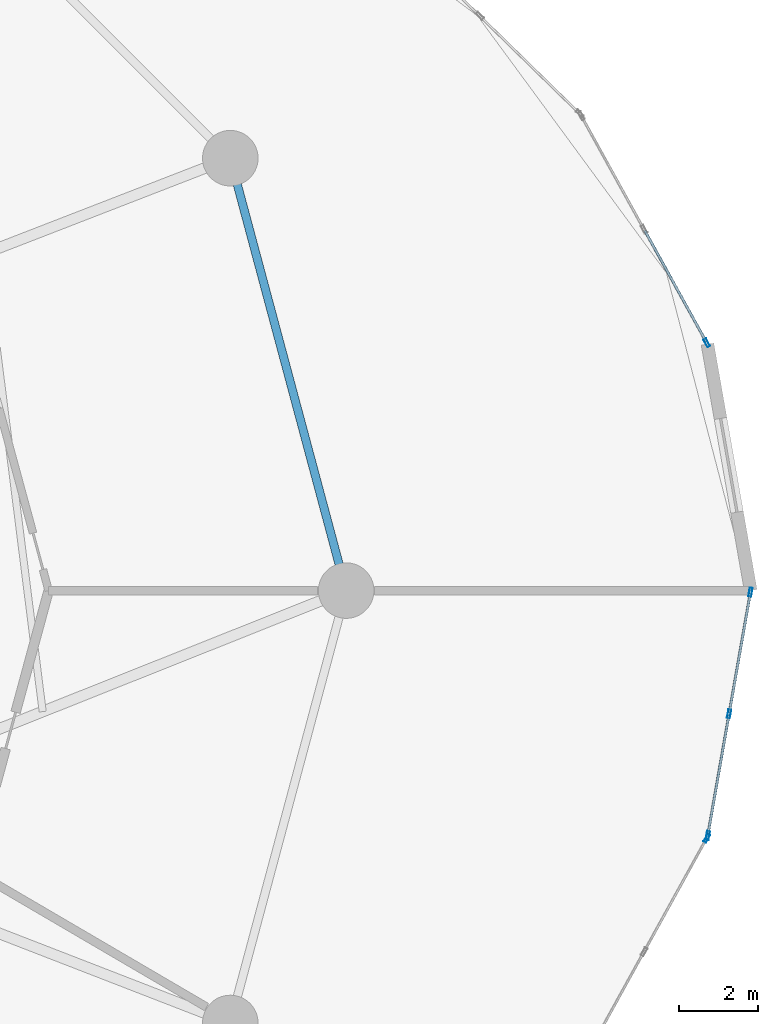
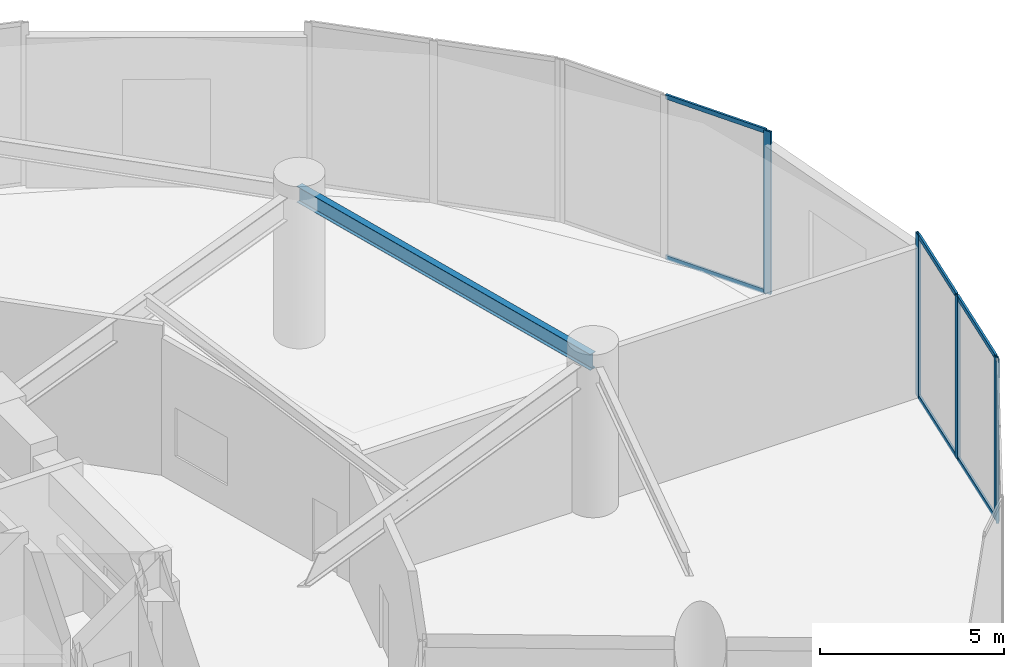
# One storey, part 13 of 29: 11 members, 1 beam, 3 elements without a shape of their own.
"""IFC4 building model written with IfcOpenShell, lengths in metres."""

from ifc_helpers import new_model, si_unit, direction, frame, origin, origin_2d, place, context, subcontext, project, spatial, hollow_rectangle, i_section, extrude, source, transform, mapped, material, layer, layer_set, material_profile, profile_set, type_object, element, aggregate, save


model = new_model("IFC4")

# Units and contexts
model_context = context("Model", 3, precision=1e-05, world=origin(), true_north=direction((0.0, 1.0)))
body_context = subcontext(model_context, "Body", "Model", "MODEL_VIEW")
ifc_project = project(units=[si_unit("LENGTHUNIT", "METRE"), si_unit("AREAUNIT", "SQUARE_METRE"), si_unit("VOLUMEUNIT", "CUBIC_METRE"), si_unit("PLANEANGLEUNIT", "RADIAN"), si_unit("MASSUNIT", "GRAM", prefix="KILO")], contexts=[model_context])

# Site, building, storey
site_placement = place(None, origin())
site = spatial("IfcSite", under=ifc_project, at=site_placement, CompositionType="ELEMENT")
building_placement = place(site_placement, origin())
building = spatial("IfcBuilding", under=site, at=building_placement, Name="Solvirekh Grand Hotel", CompositionType="ELEMENT")
storey_placement = place(building_placement, frame((0.0, 0.0, 7.199951171875)))
storey = spatial("IfcBuildingStorey", under=building, at=storey_placement, Name="L01", CompositionType="ELEMENT", Elevation=7.199951171875)

# Beam
ifc_material_1 = material(Name="Steel S355", Category="steel")
ifc_material_profile_1 = material_profile(ifc_material_1, i_section(OverallWidth=0.208984375, OverallDepth=0.532958984375, WebThickness=0.010009765625, FlangeThickness=0.014892578125, FilletRadius=0.013916015625, at=origin_2d()), Name="W530X92")
ifc_profile_set_1 = profile_set([ifc_material_profile_1], Name="Steel S355")
beam_type = type_object("IfcBeamType", Name="Spandrel_Ring_W530", PredefinedType="SPANDREL", material=ifc_profile_set_1)
beam_placement = place(storey_placement, frame((21.800048828125, 0.0, 4.713134765625), z_axis=(-0.258862249378, 0.965914248703, 0.0), x_axis=(-0.965914248703, -0.258862249378, 0.0)))
element("IfcBeam", 1, at=beam_placement, inside=storey, type_object=beam_type, Name="L01 perimeter spandrel beam 1", PredefinedType="SPANDREL", context=body_context, shape_type="SweptSolid", body=[
    extrude(i_section(OverallWidth=0.208984375, OverallDepth=0.532958984375, WebThickness=0.010009765625, FlangeThickness=0.014892578125, FilletRadius=0.013916015625, at=origin_2d()), origin(), (0.0, 0.0, 1.0), 11.284423828125),
])

# Curtain wall, member
ifc_material_2 = material(Name="Anodized Bronze Aluminium 6063-T6", Category="aluminium")
ifc_layer = layer(ifc_material_2, 0.219970703125)
ifc_layer_set = layer_set([ifc_layer], Name="Anodized Bronze Aluminium 6063-T6")
curtain_wall_type = type_object("IfcCurtainWallType", Name="CW_Sys1_PodiumBronzeUnitised", PredefinedType="NOTDEFINED", material=ifc_layer_set)
curtain_wall_1_placement = place(storey_placement, origin())
curtain_wall_1 = element("IfcCurtainWall", 2, at=curtain_wall_1_placement, inside=storey, type_object=curtain_wall_type, Name="L01 unitised bronze-glass curtain wall CW-L01-C02", PredefinedType="NOTDEFINED")
ifc_material_profile_2 = material_profile(ifc_material_2, hollow_rectangle(XDim=0.074951171875, YDim=0.219970703125, WallThickness=0.006103515625, at=origin_2d()), Name="ALU RHS 220X75X6")
ifc_profile_set_2 = profile_set([ifc_material_profile_2], Name="Anodized Bronze Aluminium 6063-T6")
member_type_1 = type_object("IfcMemberType", Name="CWMullion_Sys1", PredefinedType="MULLION", material=ifc_profile_set_2)
shared_shape_1 = source(origin(), body_context, "Body", "SweptSolid", [
    extrude(hollow_rectangle(XDim=0.074951171875, YDim=0.219970703125, WallThickness=0.006103515625, at=origin_2d()), origin(), (0.0, 0.0, 1.0), 5.400146484375),
])
member_1_placement = place(storey_placement, frame((30.891845703125, 6.244873046875, 0.0), z_axis=(0.0, 0.0, 1.0), x_axis=(-0.875345975229, -0.48349707719, 0.0)))
member_1 = element("IfcMember", 3, at=member_1_placement, type_object=member_type_1, Name="U01 mullion 1", PredefinedType="MULLION", context=body_context, shape_type="MappedRepresentation", body=[
    mapped(shared_shape_1, transform((0.0, 0.0, 0.0), x_axis=(1.0, 0.0, 0.0), y_axis=(0.0, 1.0, 0.0), z_axis=(0.0, 0.0, 1.0), scale=1.0)),
])

curtain_wall_2_placement = place(storey_placement, origin())
curtain_wall_2 = element("IfcCurtainWall", 4, at=curtain_wall_2_placement, inside=storey, type_object=curtain_wall_type, Name="L01 unitised bronze-glass curtain wall CW-L01-C23", PredefinedType="NOTDEFINED")
member_2_placement = place(storey_placement, frame((30.891845703125, -6.244873046875, 0.0), z_axis=(0.0, 0.0, 1.0), x_axis=(-0.875345975229, 0.48349707719, 0.0)))
member_2 = element("IfcMember", 5, at=member_2_placement, type_object=member_type_1, Name="U01 mullion 3", PredefinedType="MULLION", context=body_context, shape_type="MappedRepresentation", body=[
    mapped(shared_shape_1, transform((0.0, 0.0, 0.0), x_axis=(1.0, 0.0, 0.0), y_axis=(0.0, 1.0, 0.0), z_axis=(0.0, 0.0, 1.0), scale=1.0)),
])
aggregate(curtain_wall_2, [member_2])

# Curtain wall, members
curtain_wall_3_placement = place(storey_placement, origin())
curtain_wall_3 = element("IfcCurtainWall", 6, at=curtain_wall_3_placement, inside=storey, type_object=curtain_wall_type, Name="L01 unitised bronze-glass curtain wall CW-L01-C24", PredefinedType="NOTDEFINED")
member_3_placement = place(storey_placement, frame((30.91650390625, -6.175048828125, 0.0), z_axis=(0.0, 0.0, 1.0), x_axis=(-0.984952289837, 0.172826464248, 0.0)))
member_3 = element("IfcMember", 7, at=member_3_placement, type_object=member_type_1, Name="U01 mullion 1", PredefinedType="MULLION", context=body_context, shape_type="MappedRepresentation", body=[
    mapped(shared_shape_1, transform((0.0, 0.0, 0.0), x_axis=(1.0, 0.0, 0.0), y_axis=(0.0, 1.0, 0.0), z_axis=(0.0, 0.0, 1.0), scale=1.0)),
])
member_4_placement = place(storey_placement, frame((31.455078125, -3.10595703125, 0.0), z_axis=(0.0, 0.0, 1.0), x_axis=(-0.984952289837, 0.172826464248, 0.0)))
member_4 = element("IfcMember", 8, at=member_4_placement, type_object=member_type_1, Name="U01 mullion 2", PredefinedType="MULLION", context=body_context, shape_type="MappedRepresentation", body=[
    mapped(shared_shape_1, transform((0.0, 0.0, 0.0), x_axis=(1.0, 0.0, 0.0), y_axis=(0.0, 1.0, 0.0), z_axis=(0.0, 0.0, 1.0), scale=1.0)),
])
member_5_placement = place(storey_placement, frame((31.993408203125, -0.036865234375, 0.0), z_axis=(0.0, 0.0, 1.0), x_axis=(-0.984952289837, 0.172826464248, 0.0)))
member_5 = element("IfcMember", 9, at=member_5_placement, type_object=member_type_1, Name="U01 mullion 3", PredefinedType="MULLION", context=body_context, shape_type="MappedRepresentation", body=[
    mapped(shared_shape_1, transform((0.0, 0.0, 0.0), x_axis=(1.0, 0.0, 0.0), y_axis=(0.0, 1.0, 0.0), z_axis=(0.0, 0.0, 1.0), scale=1.0)),
])

# Member
ifc_material_profile_3 = material_profile(ifc_material_2, hollow_rectangle(XDim=0.06494140625, YDim=0.14990234375, WallThickness=0.0048828125, at=origin_2d()), Name="ALU RHS 150X65X5")
ifc_profile_set_3 = profile_set([ifc_material_profile_3], Name="Anodized Bronze Aluminium 6063-T6")
member_type_2 = type_object("IfcMemberType", Name="CWTransom_Sys1", PredefinedType="USERDEFINED", material=ifc_profile_set_3)
shared_shape_2 = source(origin(), body_context, "Body", "SweptSolid", [
    extrude(hollow_rectangle(XDim=0.06494140625, YDim=0.14990234375, WallThickness=0.0048828125, at=origin_2d()), origin(), (0.0, 0.0, 1.0), 3.19384765625),
])
member_6_placement = place(storey_placement, frame((30.873779296875, 6.277587890625, 0.032470703125), z_axis=(-0.48349963747, 0.875344561054, 0.0), x_axis=(-0.875344561054, -0.48349963747, 0.0)))
member_6 = element("IfcMember", 10, at=member_6_placement, type_object=member_type_2, Name="U01 transom 1.1", ObjectType="TRANSOM", PredefinedType="USERDEFINED", context=body_context, shape_type="MappedRepresentation", body=[
    mapped(shared_shape_2, transform((0.0, 0.0, 0.0), x_axis=(1.0, 0.0, 0.0), y_axis=(0.0, 1.0, 0.0), z_axis=(0.0, 0.0, 1.0), scale=1.0)),
])

member_7_placement = place(storey_placement, frame((30.873779296875, 6.277587890625, 5.367431640625), z_axis=(-0.48349963747, 0.875344561054, 0.0), x_axis=(-0.875344561054, -0.48349963747, 0.0)))
member_7 = element("IfcMember", 11, at=member_7_placement, type_object=member_type_2, Name="U01 transom 1.2", ObjectType="TRANSOM", PredefinedType="USERDEFINED", context=body_context, shape_type="MappedRepresentation", body=[
    mapped(shared_shape_2, transform((0.0, 0.0, 0.0), x_axis=(1.0, 0.0, 0.0), y_axis=(0.0, 1.0, 0.0), z_axis=(0.0, 0.0, 1.0), scale=1.0)),
])

aggregate(curtain_wall_1, [member_1, member_6, member_7])

shared_shape_3 = source(origin(), body_context, "Body", "SweptSolid", [
    extrude(hollow_rectangle(XDim=0.06494140625, YDim=0.14990234375, WallThickness=0.0048828125, at=origin_2d()), origin(), (0.0, 0.0, 1.0), 3.041015625),
])
member_8_placement = place(storey_placement, frame((30.9228515625, -6.13818359375, 0.032470703125), z_axis=(0.172841834951, 0.984949592665, 0.0), x_axis=(-0.984949592665, 0.172841834951, 0.0)))
member_8 = element("IfcMember", 12, at=member_8_placement, type_object=member_type_2, Name="U01 transom 1.1", ObjectType="TRANSOM", PredefinedType="USERDEFINED", context=body_context, shape_type="MappedRepresentation", body=[
    mapped(shared_shape_3, transform((0.0, 0.0, 0.0), x_axis=(1.0, 0.0, 0.0), y_axis=(0.0, 1.0, 0.0), z_axis=(0.0, 0.0, 1.0), scale=1.0)),
])

member_9_placement = place(storey_placement, frame((30.9228515625, -6.13818359375, 5.367431640625), z_axis=(0.172841834951, 0.984949592665, 0.0), x_axis=(-0.984949592665, 0.172841834951, 0.0)))
member_9 = element("IfcMember", 13, at=member_9_placement, type_object=member_type_2, Name="U01 transom 1.2", ObjectType="TRANSOM", PredefinedType="USERDEFINED", context=body_context, shape_type="MappedRepresentation", body=[
    mapped(shared_shape_3, transform((0.0, 0.0, 0.0), x_axis=(1.0, 0.0, 0.0), y_axis=(0.0, 1.0, 0.0), z_axis=(0.0, 0.0, 1.0), scale=1.0)),
])

shared_shape_4 = source(origin(), body_context, "Body", "SweptSolid", [
    extrude(hollow_rectangle(XDim=0.06494140625, YDim=0.14990234375, WallThickness=0.0048828125, at=origin_2d()), origin(), (0.0, 0.0, 1.0), 3.040771484375),
])
member_10_placement = place(storey_placement, frame((31.46142578125, -3.069091796875, 0.032470703125), z_axis=(0.172855502842, 0.984947194086, 0.0), x_axis=(-0.984947194086, 0.172855502842, 0.0)))
member_10 = element("IfcMember", 14, at=member_10_placement, type_object=member_type_2, Name="U01 transom 2.1", ObjectType="TRANSOM", PredefinedType="USERDEFINED", context=body_context, shape_type="MappedRepresentation", body=[
    mapped(shared_shape_4, transform((0.0, 0.0, 0.0), x_axis=(1.0, 0.0, 0.0), y_axis=(0.0, 1.0, 0.0), z_axis=(0.0, 0.0, 1.0), scale=1.0)),
])

member_11_placement = place(storey_placement, frame((31.46142578125, -3.069091796875, 5.367431640625), z_axis=(0.172855502842, 0.984947194086, 0.0), x_axis=(-0.984947194086, 0.172855502842, 0.0)))
member_11 = element("IfcMember", 15, at=member_11_placement, type_object=member_type_2, Name="U01 transom 2.2", ObjectType="TRANSOM", PredefinedType="USERDEFINED", context=body_context, shape_type="MappedRepresentation", body=[
    mapped(shared_shape_4, transform((0.0, 0.0, 0.0), x_axis=(1.0, 0.0, 0.0), y_axis=(0.0, 1.0, 0.0), z_axis=(0.0, 0.0, 1.0), scale=1.0)),
])

aggregate(curtain_wall_3, [member_3, member_4, member_5, member_8, member_9, member_10, member_11])

save(model, "model.ifc")
